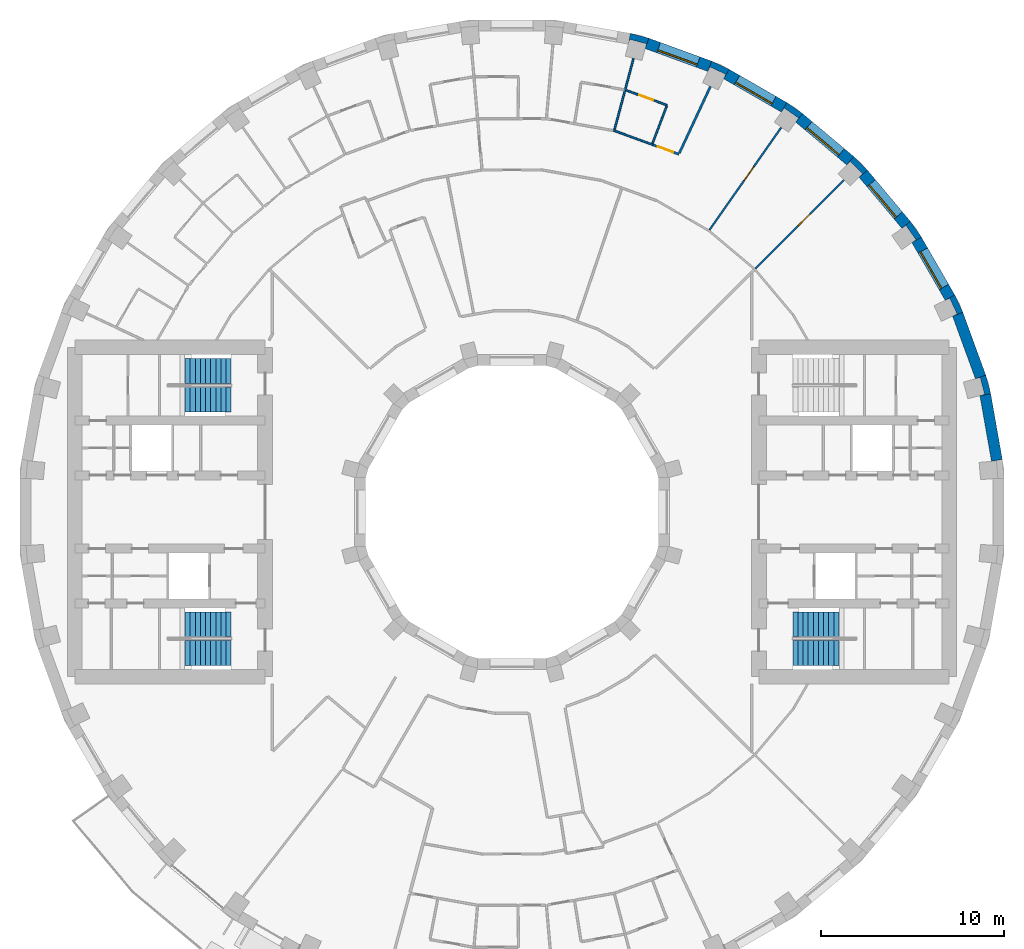
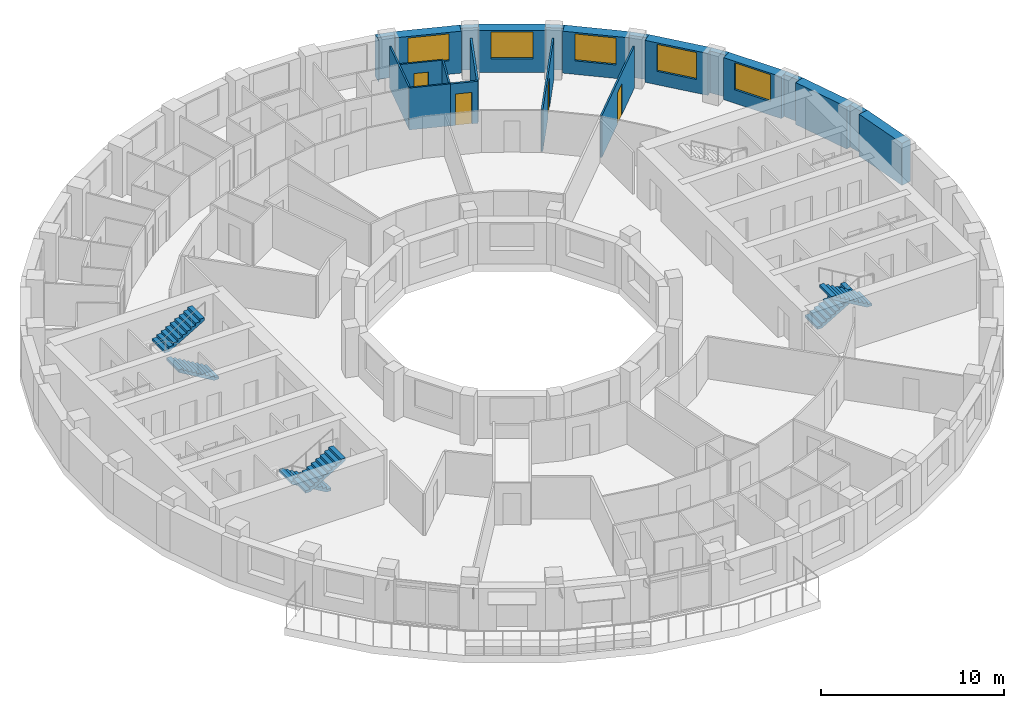
# One storey, part 12 of 14: 22 walls, 6 stair flights, 5 windows, 4 doors, 9 openings, 3 elements without a shape of their own.
"""IFC4 building model written with IfcOpenShell, lengths in metres."""

import ifcopenshell
import ifcopenshell.guid

model = None  # the IFC model being written
_history = None  # IfcOwnerHistory: only IFC2X3 demands one
_inside = {}  # id of a spatial element -> (the spatial element, [elements in it])
_under = {}  # id of a project, library or spatial element -> (it, [spatial elements below it])
_declared = {}  # id of a project -> (the project, [libraries it declares])
_typed = {}  # id of a type object -> (the type object, [elements of that type])
_made_of = {}  # id of a material, layer set ... -> (it, [elements and type objects made of it])


def new_model(schema):
    """Start an empty IFC model of exactly this schema.

    Asked for "IFC4X3", IfcOpenShell would pick the latest addendum, in which some entities
    have other attributes; the version numbers below select the first issue.
    IFC2X3 requires an IfcOwnerHistory on every rooted entity: one is made here for all.
    """
    global model, _history
    if schema == "IFC4X3":
        model = ifcopenshell.file(schema_version=(4, 3, 0, 0))
    else:
        model = ifcopenshell.file(schema=schema)
    _inside.clear()
    _under.clear()
    _declared.clear()
    _typed.clear()
    _made_of.clear()
    _history = None
    if model.schema == "IFC2X3":
        org = make("IfcOrganization", Name="unknown")
        user = make(
            "IfcPersonAndOrganization",
            ThePerson=make("IfcPerson", FamilyName="unknown"),
            TheOrganization=org,
        )
        app = make(
            "IfcApplication",
            ApplicationDeveloper=org,
            Version="unknown",
            ApplicationFullName="unknown",
            ApplicationIdentifier="unknown",
        )
        _history = make(
            "IfcOwnerHistory",
            OwningUser=user,
            OwningApplication=app,
            ChangeAction="ADDED",
            CreationDate=0,
        )
    return model


def make(cls, **values):
    """One entity of the class cls with the attributes given. An attribute that is None is left unset."""
    return model.create_entity(
        cls, **{name: value for name, value in values.items() if value is not None}
    )


def rooted(cls, **values):
    """An entity with a GlobalId (a new one), such as an element, a storey or a relation."""
    return make(cls, GlobalId=ifcopenshell.guid.new(), OwnerHistory=_history, **values)


def si_unit(unit_type, name, prefix=None):
    """IfcSIUnit, for example si_unit("LENGTHUNIT", "METRE", prefix="MILLI")."""
    return make("IfcSIUnit", UnitType=unit_type, Prefix=prefix, Name=name)


def assignment(units):
    """IfcUnitAssignment: the units of a project."""
    return None if units is None else make("IfcUnitAssignment", Units=units)


def point(xyz):
    """IfcCartesianPoint."""
    return None if xyz is None else make("IfcCartesianPoint", Coordinates=xyz)


def direction(xyz):
    """IfcDirection."""
    return None if xyz is None else make("IfcDirection", DirectionRatios=xyz)


def frame(location, z_axis=None, x_axis=None):
    """IfcAxis2Placement3D, a coordinate frame: its origin and axes. An axis left out is left unset."""
    return make(
        "IfcAxis2Placement3D",
        Location=point(location),
        Axis=direction(z_axis),
        RefDirection=direction(x_axis),
    )


def frame_2d(location, x_axis=None):
    """IfcAxis2Placement2D, a coordinate frame in the plane: its origin and x axis."""
    return make(
        "IfcAxis2Placement2D", Location=point(location), RefDirection=direction(x_axis)
    )


def origin():
    """The frame at (0, 0, 0) with its axes left unset."""
    return frame((0.0, 0.0, 0.0))


def place(relative_to, where):
    """IfcLocalPlacement: puts the frame where relative to a parent placement (None: the world)."""
    return make(
        "IfcLocalPlacement", PlacementRelTo=relative_to, RelativePlacement=where
    )


def context(
    kind, dimensions, precision=None, world=None, true_north=None, identifier=None
):
    """IfcGeometricRepresentationContext, for example the 3D "Model" context."""
    return make(
        "IfcGeometricRepresentationContext",
        ContextIdentifier=identifier,
        ContextType=kind,
        CoordinateSpaceDimension=dimensions,
        Precision=precision,
        WorldCoordinateSystem=world,
        TrueNorth=true_north,
    )


def subcontext(parent, identifier, kind, view, scale=None):
    """IfcGeometricRepresentationSubContext, for example "Body" below "Model"."""
    return make(
        "IfcGeometricRepresentationSubContext",
        ContextIdentifier=identifier,
        ContextType=kind,
        ParentContext=parent,
        TargetScale=scale,
        TargetView=view,
    )


def project(units=None, contexts=None):
    """IfcProject with its units and contexts."""
    return rooted(
        "IfcProject",
        Name="project",
        RepresentationContexts=contexts,
        UnitsInContext=assignment(units),
    )


def spatial(cls, under=None, at=None, **own):
    """A site, building, storey or space (cls), placed at a placement, below another one or the project."""
    s = rooted(cls, ObjectPlacement=at, **own)
    if under is not None:
        _under.setdefault(under.id(), (under, []))[1].append(s)
    return s


def polyline(points):
    """IfcPolyline through the points."""
    return make("IfcPolyline", Points=[point(p) for p in points])


def profile(cls, at=None, kind="AREA", **sizes):
    """A parametric profile (cls). Its sizes go by their IFC names, for example OverallWidth=200.0."""
    return make(cls, ProfileType=kind, Position=at, **sizes)


def rectangle(**sizes):
    """IfcRectangleProfileDef."""
    return profile("IfcRectangleProfileDef", **sizes)


def outline(outer, holes=None, kind="AREA"):
    """IfcArbitraryClosedProfileDef: a profile drawn as a closed curve; with holes, ...WithVoids."""
    if holes is None:
        return make("IfcArbitraryClosedProfileDef", ProfileType=kind, OuterCurve=outer)
    return make(
        "IfcArbitraryProfileDefWithVoids",
        ProfileType=kind,
        OuterCurve=outer,
        InnerCurves=holes,
    )


def extrude(swept, where, along, depth):
    """IfcExtrudedAreaSolid: the profile swept, set in the frame where, extruded along a direction by depth."""
    return make(
        "IfcExtrudedAreaSolid",
        SweptArea=swept,
        Position=where,
        ExtrudedDirection=direction(along),
        Depth=depth,
    )


def shape(context_of_items, identifier, shape_type, items):
    """IfcShapeRepresentation: the items that make up one representation, for example the "Body"."""
    return make(
        "IfcShapeRepresentation",
        ContextOfItems=context_of_items,
        RepresentationIdentifier=identifier,
        RepresentationType=shape_type,
        Items=items,
    )


def material(Name=None, Category=None):
    """IfcMaterial."""
    return make("IfcMaterial", Name=Name, Category=Category)


def layer(
    of_material, thickness, ventilated=None, Name=None, Category=None, Priority=None
):
    """IfcMaterialLayer: one layer of a wall or slab, of a material (None: an air gap)."""
    return make(
        "IfcMaterialLayer",
        Material=of_material,
        LayerThickness=thickness,
        IsVentilated=ventilated,
        Name=Name,
        Category=Category,
        Priority=Priority,
    )


def layer_set(layers, Name=None):
    """IfcMaterialLayerSet."""
    return make("IfcMaterialLayerSet", MaterialLayers=layers, LayerSetName=Name)


def made_of(thing, what):
    """Note that an element or type object is made of a material, layer set ...; save() writes the relation."""
    if what is not None:
        _made_of.setdefault(what.id(), (what, []))[1].append(thing)
    return thing


def type_object(cls, material=None, **own):
    """A type object (cls), such as IfcWallType, which elements share."""
    return made_of(rooted(cls, **own), material)


def element(
    cls,
    number,
    at=None,
    inside=None,
    cuts=None,
    type_object=None,
    material=None,
    context=None,
    identifier="Body",
    shape_type=None,
    held_by="IfcProductDefinitionShape",
    body=None,
    shapes=None,
    **own,
):
    """One element of the class cls, such as IfcWall. Its Tag is "e" and its number.

    at: its placement. inside: the storey or other place that contains it. cuts: it is an
    opening in that element (IfcRelVoidsElement). A single representation is given by context,
    identifier, shape_type and body (its items); several are given by shapes. held_by: the class
    of the entity that holds the representations. save() writes the other relations.
    """
    e = rooted(cls, Tag="e%d" % number, ObjectPlacement=at, **own)
    if body is not None:
        shapes = [shape(context, identifier, shape_type, body)]
    if shapes is not None:
        e.Representation = make(held_by, Representations=shapes)
    if inside is not None:
        _inside.setdefault(inside.id(), (inside, []))[1].append(e)
    if cuts is not None:
        rooted(
            "IfcRelVoidsElement", RelatingBuildingElement=cuts, RelatedOpeningElement=e
        )
    if type_object is not None:
        _typed.setdefault(type_object.id(), (type_object, []))[1].append(e)
    return made_of(e, material)


def fill(opening, filler):
    """IfcRelFillsElement: the door or window that sits in an opening."""
    return rooted(
        "IfcRelFillsElement",
        RelatingOpeningElement=opening,
        RelatedBuildingElement=filler,
    )


def aggregate(whole, parts):
    """IfcRelAggregates: a whole, such as a stair, and the parts it consists of."""
    return rooted("IfcRelAggregates", RelatingObject=whole, RelatedObjects=parts)


def save(model, path):
    """Write the relations noted so far, then the file.

    IfcRelAggregates (storeys below a building ...), IfcRelContainedInSpatialStructure (elements
    in a storey), IfcRelDefinesByType, IfcRelAssociatesMaterial and IfcRelDeclares: one each for
    every whole, place, type object, material and project.
    """
    for whole, parts in _under.values():
        aggregate(whole, parts)
    for where, things in _inside.values():
        rooted(
            "IfcRelContainedInSpatialStructure",
            RelatedElements=things,
            RelatingStructure=where,
        )
    for kind, things in _typed.values():
        rooted("IfcRelDefinesByType", RelatedObjects=things, RelatingType=kind)
    for what, things in _made_of.values():
        rooted("IfcRelAssociatesMaterial", RelatedObjects=things, RelatingMaterial=what)
    for by, libraries in _declared.values():
        rooted("IfcRelDeclares", RelatingContext=by, RelatedDefinitions=libraries)
    model.write(path)


model = new_model("IFC4")

# Units and contexts
model_context = context("Model", 3, precision=1e-05, world=origin(), true_north=direction((0.0, 1.0)))
body_context = subcontext(model_context, "Body", "Model", "MODEL_VIEW")
ifc_project = project(units=[si_unit("LENGTHUNIT", "METRE"), si_unit("AREAUNIT", "SQUARE_METRE"), si_unit("VOLUMEUNIT", "CUBIC_METRE"), si_unit("PLANEANGLEUNIT", "RADIAN"), si_unit("MASSUNIT", "GRAM", prefix="KILO")], contexts=[model_context])

# Site, building, storey
site_placement = place(None, origin())
site = spatial("IfcSite", under=ifc_project, at=site_placement, CompositionType="ELEMENT")
building_placement = place(site_placement, origin())
building = spatial("IfcBuilding", under=site, at=building_placement, Name="Saqina Gate Tower", CompositionType="ELEMENT")
storey_placement = place(building_placement, frame((0.0, 0.0, 134.800048828125)))
storey = spatial("IfcBuildingStorey", under=building, at=storey_placement, Name="L38", CompositionType="ELEMENT", Elevation=134.800048828125)

# Walls
ifc_material_1 = material(Name="Brick masonry (buff)", Category="masonry")
wall_type_1 = type_object("IfcWallType", Name="BRICK PIER COPING BUFF", PredefinedType="SOLIDWALL", material=ifc_material_1)
wall_1_placement = place(storey_placement, origin())
element("IfcWall", 1, at=wall_1_placement, inside=storey, type_object=wall_type_1, Name="Pier cap L38 column 2", PredefinedType="SOLIDWALL", context=body_context, shape_type="SweptSolid", body=[
    extrude(outline(polyline([(26.171875, 6.466796875), (25.89892578125, 7.485595703125), (25.335205078125, 7.2802734375), (25.5947265625, 7.349853515625), (25.8408203125, 6.43212890625), (25.5810546875, 6.36279296875), (26.171875, 6.466796875)])), origin(), (0.0, 0.0, 1.0), 2.800048828125),
])
wall_2_placement = place(storey_placement, origin())
element("IfcWall", 2, at=wall_2_placement, inside=storey, type_object=wall_type_1, Name="Pier cap L38 column 3", PredefinedType="SOLIDWALL", context=body_context, shape_type="SweptSolid", body=[
    extrude(outline(polyline([(24.6513671875, 10.913330078125), (24.205810546875, 11.869140625), (23.68603515625, 11.569091796875), (23.9296875, 11.6826171875), (24.331298828125, 10.82177734375), (24.08740234375, 10.7080078125), (24.6513671875, 10.913330078125)])), origin(), (0.0, 0.0, 1.0), 2.800048828125),
])
wall_3_placement = place(storey_placement, origin())
element("IfcWall", 3, at=wall_3_placement, inside=storey, type_object=wall_type_1, Name="Pier cap L38 column 4", PredefinedType="SOLIDWALL", context=body_context, shape_type="SweptSolid", body=[
    extrude(outline(polyline([(21.77685546875, 15.89208984375), (21.317138671875, 15.50634765625), (21.53759765625, 15.66064453125), (22.08251953125, 14.88232421875), (21.862060546875, 14.728271484375), (22.3818359375, 15.0283203125), (21.77685546875, 15.89208984375)])), origin(), (0.0, 0.0, 1.0), 2.800048828125),
])
wall_4_placement = place(storey_placement, origin())
element("IfcWall", 4, at=wall_4_placement, inside=storey, type_object=wall_type_1, Name="Pier cap L38 column 5", PredefinedType="SOLIDWALL", context=body_context, shape_type="SweptSolid", body=[
    extrude(outline(polyline([(19.43212890625, 18.686279296875), (18.686279296875, 19.43212890625), (18.30078125, 18.972412109375), (18.49072265625, 19.16259765625), (19.16259765625, 18.49072265625), (18.972412109375, 18.30078125), (19.43212890625, 18.686279296875)])), origin(), (0.0, 0.0, 1.0), 2.800048828125),
])
wall_5_placement = place(storey_placement, origin())
element("IfcWall", 5, at=wall_5_placement, inside=storey, type_object=wall_type_1, Name="Pier cap L38 column 6", PredefinedType="SOLIDWALL", context=body_context, shape_type="SweptSolid", body=[
    extrude(outline(polyline([(15.0283203125, 22.3818359375), (14.728271484375, 21.862060546875), (14.88232421875, 22.08251953125), (15.66064453125, 21.53759765625), (15.50634765625, 21.317138671875), (15.89208984375, 21.77685546875), (15.0283203125, 22.3818359375)])), origin(), (0.0, 0.0, 1.0), 2.800048828125),
])
wall_6_placement = place(storey_placement, origin())
element("IfcWall", 6, at=wall_6_placement, inside=storey, type_object=wall_type_1, Name="Pier cap L38 column 7", PredefinedType="SOLIDWALL", context=body_context, shape_type="SweptSolid", body=[
    extrude(outline(polyline([(10.913330078125, 24.6513671875), (10.7080078125, 24.08740234375), (10.82177734375, 24.331298828125), (11.6826171875, 23.9296875), (11.569091796875, 23.68603515625), (11.869140625, 24.205810546875), (10.913330078125, 24.6513671875)])), origin(), (0.0, 0.0, 1.0), 2.800048828125),
])
wall_7_placement = place(storey_placement, origin())
element("IfcWall", 7, at=wall_7_placement, inside=storey, type_object=wall_type_1, Name="Pier cap L38 column 8", PredefinedType="SOLIDWALL", context=body_context, shape_type="SweptSolid", body=[
    extrude(outline(polyline([(7.485595703125, 25.89892578125), (6.466796875, 26.171875), (6.36279296875, 25.5810546875), (6.43212890625, 25.8408203125), (7.349853515625, 25.5947265625), (7.2802734375, 25.335205078125), (7.485595703125, 25.89892578125)])), origin(), (0.0, 0.0, 1.0), 2.800048828125),
])

# Wall, opening, window
ifc_material_2 = material(Name="Brick masonry (buff)", Category="masonry")
ifc_layer_1 = layer(ifc_material_2, 0.60009765625)
ifc_layer_set_1 = layer_set([ifc_layer_1], Name="FW-BRICK-BUFF")
wall_type_2 = type_object("IfcWallType", Name="FW-BRICK-BUFF", PredefinedType="SOLIDWALL", material=ifc_layer_set_1)
wall_8_placement = place(storey_placement, frame((23.94580078125, 11.718994140625, 0.0), z_axis=(0.0, 0.0, 1.0), x_axis=(-0.499954196102, 0.866051847062, 0.0)))
wall_8 = element("IfcWall", 8, at=wall_8_placement, inside=storey, type_object=wall_type_2, Name="Facade wall L38 facet 3", PredefinedType="SOLIDWALL", context=body_context, shape_type="SweptSolid", body=[
    extrude(rectangle(XDim=3.647705078125, YDim=0.60009765625, at=frame_2d((1.82373046875, 0.0))), origin(), (0.0, 0.0, 1.0), 2.800048828125),
])
opening_1_placement = place(wall_8_placement, frame((0.673828125, 0.0, 0.89990234375)))
opening_1 = element("IfcOpeningElement", 9, at=opening_1_placement, cuts=wall_8, Name="Opening G11-W01", PredefinedType="OPENING", context=body_context, shape_type="SweptSolid", body=[
    extrude(rectangle(XDim=2.300048828125, YDim=1.800048828125, at=frame_2d((1.14990234375, 0.89990234375))), frame((0.0, 0.31201171875, 0.0), z_axis=(0.0, -1.0, 0.0), x_axis=(1.0, 0.0, 0.0)), (0.0, 0.0, 1.0), 0.6240234375),
])
ifc_material_3 = material(Name="Aluminium glazing", Category="aluminium")
window_type = type_object("IfcWindowType", Name="WN-B", PartitioningType="SINGLE_PANEL", PredefinedType="WINDOW", material=ifc_material_3)
window_1_placement = place(opening_1_placement, origin())
window_1 = element("IfcWindow", 10, at=window_1_placement, inside=storey, type_object=window_type, Name="Window L38 facet 3", OverallHeight=1.800048828125, OverallWidth=2.300048828125, PartitioningType="SINGLE_PANEL", PredefinedType="WINDOW", context=body_context, shape_type="SweptSolid", body=[
    extrude(rectangle(XDim=2.300048828125, YDim=1.800048828125, at=frame_2d((1.14990234375, 0.89990234375))), frame((0.0, 0.179931640625, 0.0), z_axis=(0.0, -1.0, 0.0), x_axis=(1.0, 0.0, 0.0)), (0.0, 0.0, 1.0), 0.06005859375),
])
fill(opening_1, window_1)

wall_9_placement = place(storey_placement, frame((21.547119140625, 15.69921875, 0.0), z_axis=(0.0, 0.0, 1.0), x_axis=(-0.642774476932, 0.766055462616, 0.0)))
wall_9 = element("IfcWall", 11, at=wall_9_placement, inside=storey, type_object=wall_type_2, Name="Facade wall L38 facet 4", PredefinedType="SOLIDWALL", context=body_context, shape_type="SweptSolid", body=[
    extrude(rectangle(XDim=3.647705078125, YDim=0.60009765625, at=frame_2d((1.82373046875, 0.0))), origin(), (0.0, 0.0, 1.0), 2.800048828125),
])
opening_2_placement = place(wall_9_placement, frame((0.673828125, 0.0, 0.89990234375)))
opening_2 = element("IfcOpeningElement", 12, at=opening_2_placement, cuts=wall_9, Name="Opening G11-W02", PredefinedType="OPENING", context=body_context, shape_type="SweptSolid", body=[
    extrude(rectangle(XDim=2.300048828125, YDim=1.800048828125, at=frame_2d((1.14990234375, 0.89990234375))), frame((0.0, 0.31201171875, 0.0), z_axis=(0.0, -1.0, 0.0), x_axis=(1.0, 0.0, 0.0)), (0.0, 0.0, 1.0), 0.6240234375),
])
window_2_placement = place(opening_2_placement, origin())
window_2 = element("IfcWindow", 13, at=window_2_placement, inside=storey, type_object=window_type, Name="Window L38 facet 4", OverallHeight=1.800048828125, OverallWidth=2.300048828125, PartitioningType="SINGLE_PANEL", PredefinedType="WINDOW", context=body_context, shape_type="SweptSolid", body=[
    extrude(rectangle(XDim=2.300048828125, YDim=1.800048828125, at=frame_2d((1.14990234375, 0.89990234375))), frame((0.0, 0.179931640625, 0.0), z_axis=(0.0, -1.0, 0.0), x_axis=(1.0, 0.0, 0.0)), (0.0, 0.0, 1.0), 0.06005859375),
])
fill(opening_2, window_2)

wall_10_placement = place(storey_placement, frame((18.49365234375, 19.202392578125, 0.0), z_axis=(0.0, 0.0, 1.0), x_axis=(-0.766055462616, 0.642774476932, 0.0)))
wall_10 = element("IfcWall", 14, at=wall_10_placement, inside=storey, type_object=wall_type_2, Name="Facade wall L38 facet 5", PredefinedType="SOLIDWALL", context=body_context, shape_type="SweptSolid", body=[
    extrude(rectangle(XDim=3.647705078125, YDim=0.60009765625, at=frame_2d((1.82373046875, 0.0))), origin(), (0.0, 0.0, 1.0), 2.800048828125),
])
opening_3_placement = place(wall_10_placement, frame((0.673828125, 0.0, 0.89990234375)))
opening_3 = element("IfcOpeningElement", 15, at=opening_3_placement, cuts=wall_10, Name="Opening G11-W03", PredefinedType="OPENING", context=body_context, shape_type="SweptSolid", body=[
    extrude(rectangle(XDim=2.300048828125, YDim=1.800048828125, at=frame_2d((1.14990234375, 0.89990234375))), frame((0.0, 0.31201171875, 0.0), z_axis=(0.0, -1.0, 0.0), x_axis=(1.0, 0.0, 0.0)), (0.0, 0.0, 1.0), 0.6240234375),
])
window_3_placement = place(opening_3_placement, origin())
window_3 = element("IfcWindow", 16, at=window_3_placement, inside=storey, type_object=window_type, Name="Window L38 facet 5", OverallHeight=1.800048828125, OverallWidth=2.300048828125, PartitioningType="SINGLE_PANEL", PredefinedType="WINDOW", context=body_context, shape_type="SweptSolid", body=[
    extrude(rectangle(XDim=2.300048828125, YDim=1.800048828125, at=frame_2d((1.14990234375, 0.89990234375))), frame((0.0, 0.179931640625, 0.0), z_axis=(0.0, -1.0, 0.0), x_axis=(1.0, 0.0, 0.0)), (0.0, 0.0, 1.0), 0.06005859375),
])
fill(opening_3, window_3)

wall_11_placement = place(storey_placement, frame((14.878173828125, 22.1220703125, 0.0), z_axis=(0.0, 0.0, 1.0), x_axis=(-0.866051847062, 0.499954196102, 0.0)))
wall_11 = element("IfcWall", 17, at=wall_11_placement, inside=storey, type_object=wall_type_2, Name="Facade wall L38 facet 6", PredefinedType="SOLIDWALL", context=body_context, shape_type="SweptSolid", body=[
    extrude(rectangle(XDim=3.647705078125, YDim=0.60009765625, at=frame_2d((1.82373046875, 0.0))), origin(), (0.0, 0.0, 1.0), 2.800048828125),
])
opening_4_placement = place(wall_11_placement, frame((0.673828125, 0.0, 0.89990234375)))
opening_4 = element("IfcOpeningElement", 18, at=opening_4_placement, cuts=wall_11, Name="Opening G11-W04", PredefinedType="OPENING", context=body_context, shape_type="SweptSolid", body=[
    extrude(rectangle(XDim=2.300048828125, YDim=1.800048828125, at=frame_2d((1.14990234375, 0.89990234375))), frame((0.0, 0.31201171875, 0.0), z_axis=(0.0, -1.0, 0.0), x_axis=(1.0, 0.0, 0.0)), (0.0, 0.0, 1.0), 0.6240234375),
])
window_4_placement = place(opening_4_placement, origin())
window_4 = element("IfcWindow", 19, at=window_4_placement, inside=storey, type_object=window_type, Name="Window L38 facet 6", OverallHeight=1.800048828125, OverallWidth=2.300048828125, PartitioningType="SINGLE_PANEL", PredefinedType="WINDOW", context=body_context, shape_type="SweptSolid", body=[
    extrude(rectangle(XDim=2.300048828125, YDim=1.800048828125, at=frame_2d((1.14990234375, 0.89990234375))), frame((0.0, 0.179931640625, 0.0), z_axis=(0.0, -1.0, 0.0), x_axis=(1.0, 0.0, 0.0)), (0.0, 0.0, 1.0), 0.06005859375),
])
fill(opening_4, window_4)

wall_12_placement = place(storey_placement, frame((10.810791015625, 24.369384765625, 0.0), z_axis=(0.0, 0.0, 1.0), x_axis=(-0.939703505393, 0.341990236633, 0.0)))
wall_12 = element("IfcWall", 20, at=wall_12_placement, inside=storey, type_object=wall_type_2, Name="Facade wall L38 facet 7", PredefinedType="SOLIDWALL", context=body_context, shape_type="SweptSolid", body=[
    extrude(rectangle(XDim=3.64794921875, YDim=0.60009765625, at=frame_2d((1.823974609375, 0.0))), origin(), (0.0, 0.0, 1.0), 2.800048828125),
])
opening_5_placement = place(wall_12_placement, frame((0.673828125, 0.0, 0.89990234375)))
opening_5 = element("IfcOpeningElement", 21, at=opening_5_placement, cuts=wall_12, Name="Opening G11-W05", PredefinedType="OPENING", context=body_context, shape_type="SweptSolid", body=[
    extrude(rectangle(XDim=2.300048828125, YDim=1.800048828125, at=frame_2d((1.14990234375, 0.89990234375))), frame((0.0, 0.31201171875, 0.0), z_axis=(0.0, -1.0, 0.0), x_axis=(1.0, 0.0, 0.0)), (0.0, 0.0, 1.0), 0.6240234375),
])
window_5_placement = place(opening_5_placement, origin())
window_5 = element("IfcWindow", 22, at=window_5_placement, inside=storey, type_object=window_type, Name="Window L38 facet 7", OverallHeight=1.800048828125, OverallWidth=2.300048828125, PartitioningType="SINGLE_PANEL", PredefinedType="WINDOW", context=body_context, shape_type="SweptSolid", body=[
    extrude(rectangle(XDim=2.300048828125, YDim=1.800048828125, at=frame_2d((1.14990234375, 0.89990234375))), frame((0.0, 0.179931640625, 0.0), z_axis=(0.0, -1.0, 0.0), x_axis=(1.0, 0.0, 0.0)), (0.0, 0.0, 1.0), 0.06005859375),
])
fill(opening_5, window_5)

# Walls
ifc_material_4 = material(Name="Glazed ceramic tile", Category="ceramic")
ifc_layer_2 = layer(ifc_material_4, 0.60009765625)
ifc_layer_set_2 = layer_set([ifc_layer_2], Name="FW-TILE")
wall_type_3 = type_object("IfcWallType", Name="FW-TILE", PredefinedType="SOLIDWALL", material=ifc_layer_set_2)
wall_13_placement = place(storey_placement, frame((26.510009765625, 2.822265625, 0.0), z_axis=(0.0, 0.0, 1.0), x_axis=(-0.173670796382, 0.984803764455, 0.0)))
element("IfcWall", 23, at=wall_13_placement, inside=storey, type_object=wall_type_3, Name="Facade wall L38 facet 1", PredefinedType="SOLIDWALL", context=body_context, shape_type="SweptSolid", body=[
    extrude(rectangle(XDim=3.64794921875, YDim=0.60009765625, at=frame_2d((1.823974609375, 0.0))), origin(), (0.0, 0.0, 1.0), 2.800048828125),
])
ifc_material_5 = material(Name="Glazed ceramic tile (white)", Category="ceramic")
ifc_layer_3 = layer(ifc_material_5, 0.60009765625)
ifc_layer_set_3 = layer_set([ifc_layer_3], Name="FW-TILE-WH")
wall_type_4 = type_object("IfcWallType", Name="FW-TILE-WH", PredefinedType="SOLIDWALL", material=ifc_layer_set_3)
wall_14_placement = place(storey_placement, frame((25.616943359375, 7.3828125, 0.0), z_axis=(0.0, 0.0, 1.0), x_axis=(-0.341990236633, 0.939703505393, 0.0)))
element("IfcWall", 24, at=wall_14_placement, inside=storey, type_object=wall_type_4, Name="Facade wall L38 facet 2", PredefinedType="SOLIDWALL", context=body_context, shape_type="SweptSolid", body=[
    extrude(rectangle(XDim=3.64794921875, YDim=0.60009765625, at=frame_2d((1.823974609375, 0.0))), origin(), (0.0, 0.0, 1.0), 2.800048828125),
])
ifc_material_6 = material(Name="Gypsum board on steel studs, 100 mm", Category="steel")
ifc_layer_4 = layer(ifc_material_6, 0.10009765625)
ifc_layer_set_4 = layer_set([ifc_layer_4], Name="PARTITION 100")
wall_type_5 = type_object("IfcWallType", Name="PARTITION 100", PredefinedType="PARTITIONING", material=ifc_layer_set_4)
wall_15_placement = place(storey_placement, frame((5.5380859375, 20.865966796875, 0.0), z_axis=(0.0, 0.0, 1.0), x_axis=(0.939002837997, -0.343909392476, 0.0)))
element("IfcWall", 25, at=wall_15_placement, inside=storey, type_object=wall_type_5, Name="PARTITION PW3-29", PredefinedType="PARTITIONING", context=body_context, shape_type="SweptSolid", body=[
    extrude(rectangle(XDim=2.306396484375, YDim=0.10009765625, at=frame_2d((1.1533203125, 0.0))), origin(), (0.0, 0.0, 1.0), 2.800048828125),
])

# Wall, opening, door
wall_16_placement = place(storey_placement, frame((6.22998046875, 23.056884765625, 0.0), z_axis=(0.0, 0.0, 1.0), x_axis=(0.939644231496, -0.342153062556, 0.0)))
wall_16 = element("IfcWall", 26, at=wall_16_placement, inside=storey, type_object=wall_type_5, Name="PARTITION PW3-31", PredefinedType="PARTITIONING", context=body_context, shape_type="SweptSolid", body=[
    extrude(rectangle(XDim=2.390380859375, YDim=0.10009765625, at=frame_2d((1.1953125, 0.0))), origin(), (0.0, 0.0, 1.0), 2.800048828125),
])
opening_6_placement = place(wall_16_placement, frame((0.770263671875, 0.0, 0.0)))
opening_6 = element("IfcOpeningElement", 27, at=opening_6_placement, cuts=wall_16, Name="Opening G11-D05", PredefinedType="OPENING", context=body_context, shape_type="SweptSolid", body=[
    extrude(rectangle(XDim=0.800048828125, YDim=2.10009765625, at=frame_2d((0.39990234375, 1.050048828125))), frame((0.0, 0.06201171875, 0.0), z_axis=(0.0, -1.0, 0.0), x_axis=(1.0, 0.0, 0.0)), (0.0, 0.0, 1.0), 0.1240234375),
])
ifc_material_7 = material(Name="Timber door leaf, 800 mm", Category="wood")
door_type_1 = type_object("IfcDoorType", Name="DOOR 800 TIMBER", OperationType="SINGLE_SWING_LEFT", PredefinedType="DOOR", material=ifc_material_7)
door_1_placement = place(opening_6_placement, origin())
door_1 = element("IfcDoor", 28, at=door_1_placement, inside=storey, type_object=door_type_1, Name="DOOR G11-D05", OperationType="SINGLE_SWING_LEFT", OverallHeight=2.10009765625, OverallWidth=0.800048828125, PredefinedType="DOOR", context=body_context, shape_type="SweptSolid", body=[
    extrude(rectangle(XDim=0.800048828125, YDim=2.10009765625, at=frame_2d((0.39990234375, 1.050048828125))), frame((0.0, 0.02490234375, 0.0), z_axis=(0.0, -1.0, 0.0), x_axis=(1.0, 0.0, 0.0)), (0.0, 0.0, 1.0), 0.050048828125),
])
fill(opening_6, door_1)

wall_17_placement = place(storey_placement, frame((13.307373046875, 13.307373046875, 0.0), z_axis=(0.0, 0.0, 1.0), x_axis=(0.707106781187, 0.707106781187, 0.0)))
wall_17 = element("IfcWall", 29, at=wall_17_placement, inside=storey, type_object=wall_type_5, Name="PARTITION PW3-67", PredefinedType="PARTITIONING", context=body_context, shape_type="SweptSolid", body=[
    extrude(rectangle(XDim=6.845703125, YDim=0.10009765625, at=frame_2d((3.4228515625, 0.0))), origin(), (0.0, 0.0, 1.0), 2.800048828125),
])
opening_7_placement = place(wall_17_placement, frame((3.314697265625, 0.0, 0.0)))
opening_7 = element("IfcOpeningElement", 30, at=opening_7_placement, cuts=wall_17, Name="Opening G11-D01", PredefinedType="OPENING", context=body_context, shape_type="SweptSolid", body=[
    extrude(rectangle(XDim=0.89990234375, YDim=2.10009765625, at=frame_2d((0.449951171875, 1.050048828125))), frame((0.0, 0.06201171875, 0.0), z_axis=(0.0, -1.0, 0.0), x_axis=(1.0, 0.0, 0.0)), (0.0, 0.0, 1.0), 0.1240234375),
])
ifc_material_8 = material(Name="Timber door leaf, 900 mm", Category="wood")
door_type_2 = type_object("IfcDoorType", Name="DOOR 900 TIMBER", OperationType="SINGLE_SWING_LEFT", PredefinedType="DOOR", material=ifc_material_8)
door_2_placement = place(opening_7_placement, frame((0.89990234375, 0.0, 0.0), z_axis=(0.0, 0.0, 1.0), x_axis=(-1.0, 0.0, 0.0)))
door_2 = element("IfcDoor", 31, at=door_2_placement, inside=storey, type_object=door_type_2, Name="DOOR G11-D01", OperationType="SINGLE_SWING_LEFT", OverallHeight=2.10009765625, OverallWidth=0.89990234375, PredefinedType="DOOR", context=body_context, shape_type="SweptSolid", body=[
    extrude(rectangle(XDim=0.89990234375, YDim=2.10009765625, at=frame_2d((0.449951171875, 1.050048828125))), frame((0.0, 0.02490234375, 0.0), z_axis=(0.0, -1.0, 0.0), x_axis=(1.0, 0.0, 0.0)), (0.0, 0.0, 1.0), 0.050048828125),
])
fill(opening_7, door_2)

wall_18_placement = place(storey_placement, frame((10.794677734375, 15.4169921875, 0.0), z_axis=(0.0, 0.0, 1.0), x_axis=(0.573553308079, 0.819168238393, 0.0)))
wall_18 = element("IfcWall", 32, at=wall_18_placement, inside=storey, type_object=wall_type_5, Name="PARTITION PW3-73", PredefinedType="PARTITIONING", context=body_context, shape_type="SweptSolid", body=[
    extrude(rectangle(XDim=6.8447265625, YDim=0.10009765625, at=frame_2d((3.42236328125, 0.0))), origin(), (0.0, 0.0, 1.0), 2.800048828125),
])
opening_8_placement = place(wall_18_placement, frame((3.314697265625, 0.0, 0.0)))
opening_8 = element("IfcOpeningElement", 33, at=opening_8_placement, cuts=wall_18, Name="Opening G11-D02", PredefinedType="OPENING", context=body_context, shape_type="SweptSolid", body=[
    extrude(rectangle(XDim=0.89990234375, YDim=2.10009765625, at=frame_2d((0.449951171875, 1.050048828125))), frame((0.0, 0.06201171875, 0.0), z_axis=(0.0, -1.0, 0.0), x_axis=(1.0, 0.0, 0.0)), (0.0, 0.0, 1.0), 0.1240234375),
])
door_3_placement = place(opening_8_placement, origin())
door_3 = element("IfcDoor", 34, at=door_3_placement, inside=storey, type_object=door_type_2, Name="DOOR G11-D02", OperationType="SINGLE_SWING_RIGHT", OverallHeight=2.10009765625, OverallWidth=0.89990234375, PredefinedType="DOOR", context=body_context, shape_type="SweptSolid", body=[
    extrude(rectangle(XDim=0.89990234375, YDim=2.10009765625, at=frame_2d((0.449951171875, 1.050048828125))), frame((0.0, 0.02490234375, 0.0), z_axis=(0.0, -1.0, 0.0), x_axis=(1.0, 0.0, 0.0)), (0.0, 0.0, 1.0), 0.050048828125),
])
fill(opening_8, door_3)

# Walls
wall_19_placement = place(storey_placement, frame((7.67919921875, 20.1484375, 0.0), z_axis=(0.0, 0.0, 1.0), x_axis=(0.35615776917, 0.934425836255, 0.0)))
element("IfcWall", 35, at=wall_19_placement, inside=storey, type_object=wall_type_5, Name="PARTITION PW3-79", PredefinedType="PARTITIONING", context=body_context, shape_type="SweptSolid", body=[
    extrude(rectangle(XDim=2.1875, YDim=0.10009765625, at=frame_2d((1.09375, 0.0))), origin(), (0.0, 0.0, 1.0), 2.800048828125),
])
wall_20_placement = place(storey_placement, frame((5.598876953125, 20.89208984375, 0.0), z_axis=(0.0, 0.0, 1.0), x_axis=(0.258615129659, 0.965980442199, 0.0)))
element("IfcWall", 36, at=wall_20_placement, inside=storey, type_object=wall_type_5, Name="PARTITION PW3-81", PredefinedType="PARTITIONING", context=body_context, shape_type="SweptSolid", body=[
    extrude(rectangle(XDim=4.03564453125, YDim=0.10009765625, at=frame_2d((2.017822265625, 0.0))), origin(), (0.0, 0.0, 1.0), 2.800048828125),
])

# Wall, opening, door
ifc_material_9 = material(Name="Gypsum board on steel studs, 125 mm, fire rated", Category="steel")
ifc_layer_5 = layer(ifc_material_9, 0.125)
ifc_layer_set_5 = layer_set([ifc_layer_5], Name="PARTITION EI 30 125")
wall_type_6 = type_object("IfcWallType", Name="PARTITION EI 30 125", PredefinedType="PARTITIONING", material=ifc_layer_set_5)
wall_21_placement = place(storey_placement, frame((7.7041015625, 20.072998046875, 0.0), z_axis=(0.0, 0.0, 1.0), x_axis=(0.939798154323, -0.341730053012, 0.0)))
wall_21 = element("IfcWall", 37, at=wall_21_placement, inside=storey, type_object=wall_type_6, Name="PARTITION PW1-14", PredefinedType="PARTITIONING", context=body_context, shape_type="SweptSolid", body=[
    extrude(rectangle(XDim=1.5068359375, YDim=0.125, at=frame_2d((0.75341796875, 0.0))), origin(), (0.0, 0.0, 1.0), 2.800048828125),
])
opening_9_placement = place(wall_21_placement, frame((0.276123046875, 0.0, 0.0)))
opening_9 = element("IfcOpeningElement", 38, at=opening_9_placement, cuts=wall_21, Name="Opening G11-D04", PredefinedType="OPENING", context=body_context, shape_type="SweptSolid", body=[
    extrude(rectangle(XDim=0.89990234375, YDim=2.10009765625, at=frame_2d((0.449951171875, 1.050048828125))), frame((0.0, 0.074462890625, 0.0), z_axis=(0.0, -1.0, 0.0), x_axis=(1.0, 0.0, 0.0)), (0.0, 0.0, 1.0), 0.14892578125),
])
ifc_material_10 = material(Name="Fire door leaf EI 30, 900 mm")
door_type_3 = type_object("IfcDoorType", Name="DOOR 900 EI 30", OperationType="SINGLE_SWING_LEFT", PredefinedType="DOOR", material=ifc_material_10)
door_4_placement = place(opening_9_placement, frame((0.89990234375, 0.0, 0.0), z_axis=(0.0, 0.0, 1.0), x_axis=(-1.0, 0.0, 0.0)))
door_4 = element("IfcDoor", 39, at=door_4_placement, inside=storey, type_object=door_type_3, Name="DOOR G11-D04", OperationType="SINGLE_SWING_RIGHT", OverallHeight=2.10009765625, OverallWidth=0.89990234375, PredefinedType="DOOR", context=body_context, shape_type="SweptSolid", body=[
    extrude(rectangle(XDim=0.89990234375, YDim=2.10009765625, at=frame_2d((0.449951171875, 1.050048828125))), frame((0.0, 0.02490234375, 0.0), z_axis=(0.0, -1.0, 0.0), x_axis=(1.0, 0.0, 0.0)), (0.0, 0.0, 1.0), 0.050048828125),
])
fill(opening_9, door_4)

# Wall
wall_22_placement = place(storey_placement, frame((9.146484375, 19.61474609375, 0.0), z_axis=(0.0, 0.0, 1.0), x_axis=(0.422622950513, 0.906305600612, 0.0)))
element("IfcWall", 40, at=wall_22_placement, inside=storey, type_object=wall_type_6, Name="PARTITION PW1-43", PredefinedType="PARTITIONING", context=body_context, shape_type="SweptSolid", body=[
    extrude(rectangle(XDim=4.0224609375, YDim=0.125, at=frame_2d((2.01123046875, 0.0))), origin(), (0.0, 0.0, 1.0), 2.800048828125),
])

# Stair, stair flights
ifc_material_11 = material(Name="Concrete C40/50", Category="concrete")
stair_type = type_object("IfcStairType", Name="EXIT STAIR", PredefinedType="HALF_TURN_STAIR", material=ifc_material_11)
stair_1_placement = place(storey_placement, origin())
stair_1 = element("IfcStair", 41, at=stair_1_placement, inside=storey, type_object=stair_type, Name="EXIT STAIR 2", PredefinedType="HALF_TURN_STAIR")
ifc_material_12 = material(Name="Concrete C40/50", Category="concrete")
stair_flight_type = type_object("IfcStairFlightType", Name="EXIT STAIR FLIGHT", PredefinedType="STRAIGHT", material=ifc_material_12)
stair_flight_1_placement = place(storey_placement, frame((15.35009765625, -6.1416015625, 0.0), z_axis=(0.0, 0.0, 1.0), x_axis=(1.0, 0.0, 0.0)))
stair_flight_1 = element("IfcStairFlight", 42, at=stair_flight_1_placement, type_object=stair_flight_type, Name="EXIT STAIR 2 FLIGHT 1", NumberOfRisers=10, NumberOfTreads=9, PredefinedType="STRAIGHT", RiserHeight=0.165, TreadLength=0.28, context=body_context, shape_type="SweptSolid", body=[
    extrude(outline(polyline([(0.0, 0.0), (0.0, 0.1650390625), (0.280029296875, 0.1650390625), (0.280029296875, 0.330078125), (0.56005859375, 0.330078125), (0.56005859375, 0.4951171875), (0.840087890625, 0.4951171875), (0.840087890625, 0.659912109375), (1.1201171875, 0.659912109375), (1.1201171875, 0.824951171875), (1.39990234375, 0.824951171875), (1.39990234375, 0.989990234375), (1.679931640625, 0.989990234375), (1.679931640625, 1.155029296875), (1.9599609375, 1.155029296875), (1.9599609375, 1.320068359375), (2.239990234375, 1.320068359375), (2.239990234375, 1.485107421875), (2.52001953125, 1.485107421875), (2.52001953125, 1.64990234375), (2.52001953125, 1.31103515625), (0.295166015625, 0.0), (0.0, 0.0)])), frame((0.0, 0.675048828125, 0.0), z_axis=(0.0, -1.0, 0.0), x_axis=(1.0, 0.0, 0.0)), (0.0, 0.0, 1.0), 1.35009765625),
])
stair_flight_2_placement = place(storey_placement, frame((17.8701171875, -7.708251953125, 1.64990234375), z_axis=(0.0, 0.0, 1.0), x_axis=(-1.0, 0.0, 0.0)))
stair_flight_2 = element("IfcStairFlight", 43, at=stair_flight_2_placement, type_object=stair_flight_type, Name="EXIT STAIR 2 FLIGHT 2", NumberOfRisers=10, NumberOfTreads=9, PredefinedType="STRAIGHT", RiserHeight=0.165, TreadLength=0.28, context=body_context, shape_type="SweptSolid", body=[
    extrude(outline(polyline([(0.0, 0.0), (0.0, 0.1650390625), (0.280029296875, 0.1650390625), (0.280029296875, 0.330078125), (0.56005859375, 0.330078125), (0.56005859375, 0.4951171875), (0.840087890625, 0.4951171875), (0.840087890625, 0.659912109375), (1.1201171875, 0.659912109375), (1.1201171875, 0.824951171875), (1.39990234375, 0.824951171875), (1.39990234375, 0.989990234375), (1.679931640625, 0.989990234375), (1.679931640625, 1.155029296875), (1.9599609375, 1.155029296875), (1.9599609375, 1.320068359375), (2.239990234375, 1.320068359375), (2.239990234375, 1.485107421875), (2.52001953125, 1.485107421875), (2.52001953125, 1.64990234375), (2.52001953125, 1.31103515625), (0.295166015625, 0.0), (0.0, 0.0)])), frame((0.0, 0.675048828125, 0.0), z_axis=(0.0, -1.0, 0.0), x_axis=(1.0, 0.0, 0.0)), (0.0, 0.0, 1.0), 1.35009765625),
])
aggregate(stair_1, [stair_flight_1, stair_flight_2])

stair_2_placement = place(storey_placement, origin())
stair_2 = element("IfcStair", 44, at=stair_2_placement, inside=storey, type_object=stair_type, Name="EXIT STAIR 3", PredefinedType="HALF_TURN_STAIR")
stair_flight_3_placement = place(storey_placement, frame((-15.35009765625, 6.1416015625, 0.0), z_axis=(0.0, 0.0, 1.0), x_axis=(-1.0, 0.0, 0.0)))
stair_flight_3 = element("IfcStairFlight", 45, at=stair_flight_3_placement, type_object=stair_flight_type, Name="EXIT STAIR 3 FLIGHT 1", NumberOfRisers=10, NumberOfTreads=9, PredefinedType="STRAIGHT", RiserHeight=0.165, TreadLength=0.28, context=body_context, shape_type="SweptSolid", body=[
    extrude(outline(polyline([(0.0, 0.0), (0.0, 0.1650390625), (0.280029296875, 0.1650390625), (0.280029296875, 0.330078125), (0.56005859375, 0.330078125), (0.56005859375, 0.4951171875), (0.840087890625, 0.4951171875), (0.840087890625, 0.659912109375), (1.1201171875, 0.659912109375), (1.1201171875, 0.824951171875), (1.39990234375, 0.824951171875), (1.39990234375, 0.989990234375), (1.679931640625, 0.989990234375), (1.679931640625, 1.155029296875), (1.9599609375, 1.155029296875), (1.9599609375, 1.320068359375), (2.239990234375, 1.320068359375), (2.239990234375, 1.485107421875), (2.52001953125, 1.485107421875), (2.52001953125, 1.64990234375), (2.52001953125, 1.31103515625), (0.295166015625, 0.0), (0.0, 0.0)])), frame((0.0, 0.675048828125, 0.0), z_axis=(0.0, -1.0, 0.0), x_axis=(1.0, 0.0, 0.0)), (0.0, 0.0, 1.0), 1.35009765625),
])
stair_flight_4_placement = place(storey_placement, frame((-17.8701171875, 7.708251953125, 1.64990234375), z_axis=(0.0, 0.0, 1.0), x_axis=(1.0, 0.0, 0.0)))
stair_flight_4 = element("IfcStairFlight", 46, at=stair_flight_4_placement, type_object=stair_flight_type, Name="EXIT STAIR 3 FLIGHT 2", NumberOfRisers=10, NumberOfTreads=9, PredefinedType="STRAIGHT", RiserHeight=0.165, TreadLength=0.28, context=body_context, shape_type="SweptSolid", body=[
    extrude(outline(polyline([(0.0, 0.0), (0.0, 0.1650390625), (0.280029296875, 0.1650390625), (0.280029296875, 0.330078125), (0.56005859375, 0.330078125), (0.56005859375, 0.4951171875), (0.840087890625, 0.4951171875), (0.840087890625, 0.659912109375), (1.1201171875, 0.659912109375), (1.1201171875, 0.824951171875), (1.39990234375, 0.824951171875), (1.39990234375, 0.989990234375), (1.679931640625, 0.989990234375), (1.679931640625, 1.155029296875), (1.9599609375, 1.155029296875), (1.9599609375, 1.320068359375), (2.239990234375, 1.320068359375), (2.239990234375, 1.485107421875), (2.52001953125, 1.485107421875), (2.52001953125, 1.64990234375), (2.52001953125, 1.31103515625), (0.295166015625, 0.0), (0.0, 0.0)])), frame((0.0, 0.675048828125, 0.0), z_axis=(0.0, -1.0, 0.0), x_axis=(1.0, 0.0, 0.0)), (0.0, 0.0, 1.0), 1.35009765625),
])
aggregate(stair_2, [stair_flight_3, stair_flight_4])

stair_3_placement = place(storey_placement, origin())
stair_3 = element("IfcStair", 47, at=stair_3_placement, inside=storey, type_object=stair_type, Name="EXIT STAIR 4", PredefinedType="HALF_TURN_STAIR")
stair_flight_5_placement = place(storey_placement, frame((-15.35009765625, -6.1416015625, 0.0), z_axis=(0.0, 0.0, 1.0), x_axis=(-1.0, 0.0, 0.0)))
stair_flight_5 = element("IfcStairFlight", 48, at=stair_flight_5_placement, type_object=stair_flight_type, Name="EXIT STAIR 4 FLIGHT 1", NumberOfRisers=10, NumberOfTreads=9, PredefinedType="STRAIGHT", RiserHeight=0.165, TreadLength=0.28, context=body_context, shape_type="SweptSolid", body=[
    extrude(outline(polyline([(0.0, 0.0), (0.0, 0.1650390625), (0.280029296875, 0.1650390625), (0.280029296875, 0.330078125), (0.56005859375, 0.330078125), (0.56005859375, 0.4951171875), (0.840087890625, 0.4951171875), (0.840087890625, 0.659912109375), (1.1201171875, 0.659912109375), (1.1201171875, 0.824951171875), (1.39990234375, 0.824951171875), (1.39990234375, 0.989990234375), (1.679931640625, 0.989990234375), (1.679931640625, 1.155029296875), (1.9599609375, 1.155029296875), (1.9599609375, 1.320068359375), (2.239990234375, 1.320068359375), (2.239990234375, 1.485107421875), (2.52001953125, 1.485107421875), (2.52001953125, 1.64990234375), (2.52001953125, 1.31103515625), (0.295166015625, 0.0), (0.0, 0.0)])), frame((0.0, 0.675048828125, 0.0), z_axis=(0.0, -1.0, 0.0), x_axis=(1.0, 0.0, 0.0)), (0.0, 0.0, 1.0), 1.35009765625),
])
stair_flight_6_placement = place(storey_placement, frame((-17.8701171875, -7.708251953125, 1.64990234375), z_axis=(0.0, 0.0, 1.0), x_axis=(1.0, 0.0, 0.0)))
stair_flight_6 = element("IfcStairFlight", 49, at=stair_flight_6_placement, type_object=stair_flight_type, Name="EXIT STAIR 4 FLIGHT 2", NumberOfRisers=10, NumberOfTreads=9, PredefinedType="STRAIGHT", RiserHeight=0.165, TreadLength=0.28, context=body_context, shape_type="SweptSolid", body=[
    extrude(outline(polyline([(0.0, 0.0), (0.0, 0.1650390625), (0.280029296875, 0.1650390625), (0.280029296875, 0.330078125), (0.56005859375, 0.330078125), (0.56005859375, 0.4951171875), (0.840087890625, 0.4951171875), (0.840087890625, 0.659912109375), (1.1201171875, 0.659912109375), (1.1201171875, 0.824951171875), (1.39990234375, 0.824951171875), (1.39990234375, 0.989990234375), (1.679931640625, 0.989990234375), (1.679931640625, 1.155029296875), (1.9599609375, 1.155029296875), (1.9599609375, 1.320068359375), (2.239990234375, 1.320068359375), (2.239990234375, 1.485107421875), (2.52001953125, 1.485107421875), (2.52001953125, 1.64990234375), (2.52001953125, 1.31103515625), (0.295166015625, 0.0), (0.0, 0.0)])), frame((0.0, 0.675048828125, 0.0), z_axis=(0.0, -1.0, 0.0), x_axis=(1.0, 0.0, 0.0)), (0.0, 0.0, 1.0), 1.35009765625),
])
aggregate(stair_3, [stair_flight_5, stair_flight_6])

save(model, "model.ifc")
